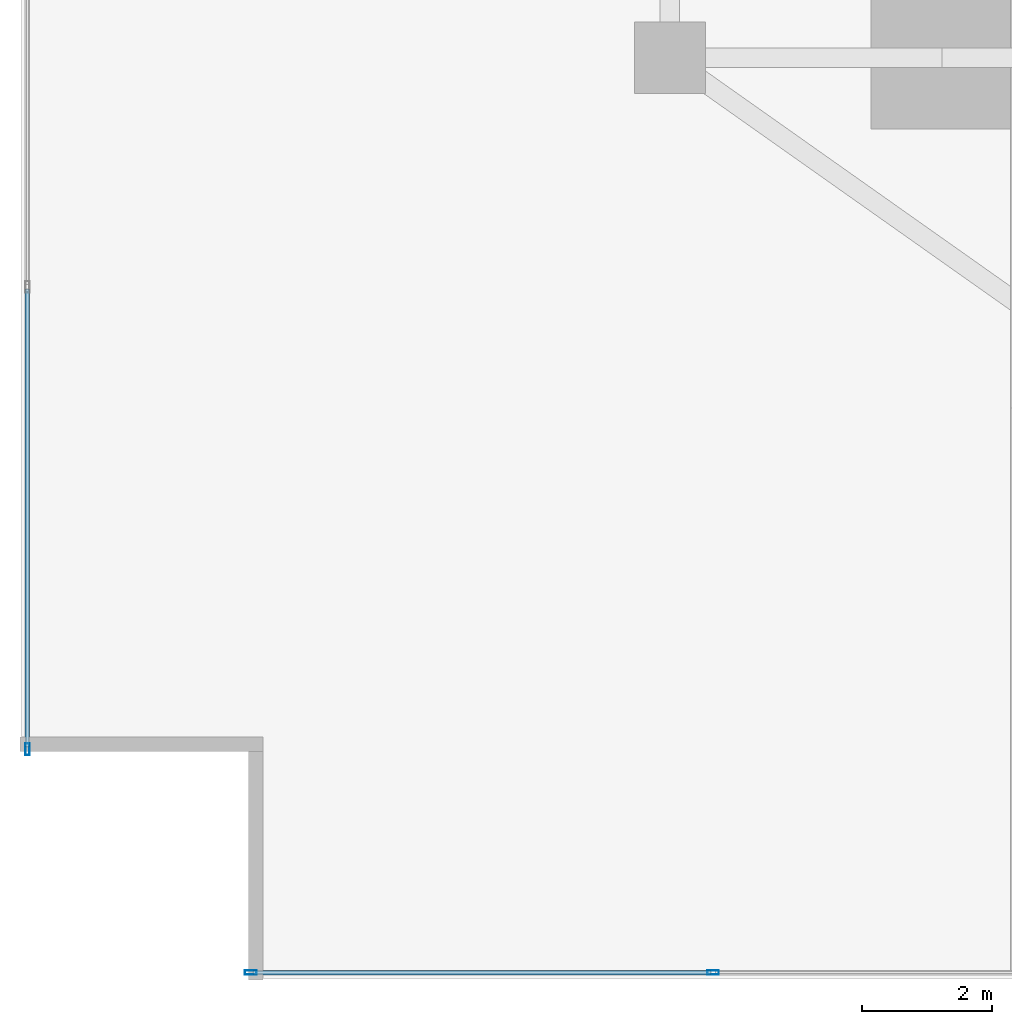
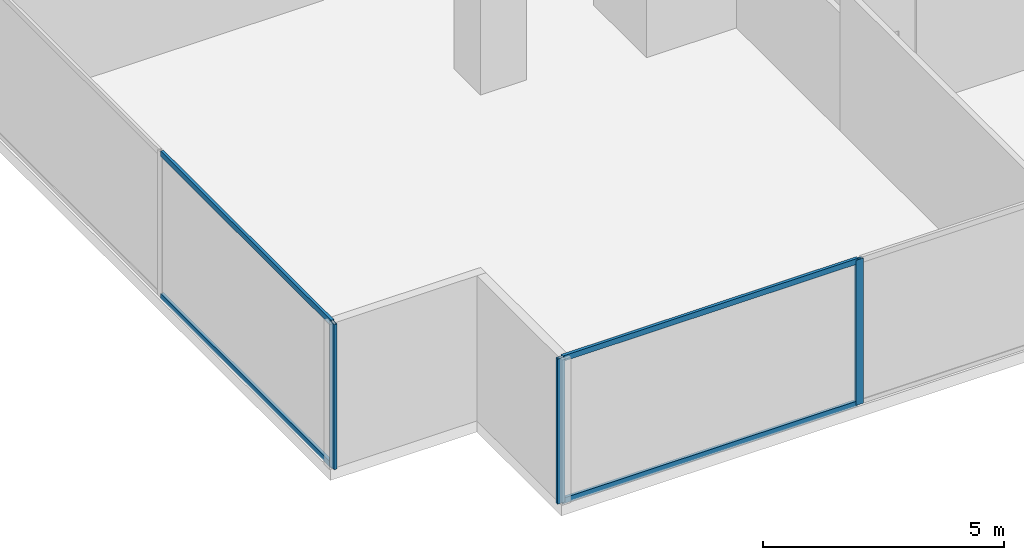
# One storey, part 2 of 28: 7 members, 2 elements without a shape of their own.
"""IFC4 building model written with IfcOpenShell, lengths in metres."""

from ifc_helpers import new_model, si_unit, direction, frame, origin, origin_2d, place, context, subcontext, project, spatial, hollow_rectangle, extrude, source, transform, mapped, material, material_profile, profile_set, type_object, type_shapes, element, aggregate, save


model = new_model("IFC4")

# Units and contexts
model_context = context("Model", 3, precision=1e-05, world=origin(), true_north=direction((0.0, 1.0)))
body_context = subcontext(model_context, "Body", "Model", "MODEL_VIEW")
ifc_project = project(units=[si_unit("LENGTHUNIT", "METRE"), si_unit("AREAUNIT", "SQUARE_METRE"), si_unit("VOLUMEUNIT", "CUBIC_METRE"), si_unit("PLANEANGLEUNIT", "RADIAN"), si_unit("MASSUNIT", "GRAM", prefix="KILO")], contexts=[model_context])

# Site, building, storey
site_placement = place(None, origin())
site = spatial("IfcSite", under=ifc_project, at=site_placement, CompositionType="ELEMENT")
building_placement = place(site_placement, origin())
building = spatial("IfcBuilding", under=site, at=building_placement, Name="Krantzveldt Concourse Tower", CompositionType="ELEMENT")
storey_placement = place(building_placement, frame((0.0, 0.0, 28.949951171875)))
storey = spatial("IfcBuildingStorey", under=building, at=storey_placement, Name="L06", CompositionType="ELEMENT", Elevation=28.949951171875)

# Curtain wall, members
ifc_material = material(Name="Anodised aluminium 6063-T6", Category="aluminium")
curtain_wall_type = type_object("IfcCurtainWallType", Name="CW2", PredefinedType="USERDEFINED", material=ifc_material)
curtain_wall_1_placement = place(storey_placement, origin())
curtain_wall_1 = element("IfcCurtainWall", 1, at=curtain_wall_1_placement, inside=storey, type_object=curtain_wall_type, Name="CW-L06-F04", ObjectType="UNITISED CURTAIN WALL", PredefinedType="USERDEFINED")
ifc_material_profile_1 = material_profile(ifc_material, hollow_rectangle(XDim=0.070068359375, YDim=0.139892578125, WallThickness=0.0048828125, at=origin_2d()), Name="Anodised aluminium 6063-T6", Category="aluminium")
ifc_profile_set_1 = profile_set([ifc_material_profile_1], Name="Anodised aluminium 6063-T6 - ALU-TRAN 140x70x5")
member_type_1 = type_object("IfcMemberType", Name="CW-TRN-150", PredefinedType="USERDEFINED", material=ifc_profile_set_1)
shared_shape_1 = source(origin(), body_context, "Body", "SweptSolid", [
    extrude(hollow_rectangle(XDim=0.070068359375, YDim=0.139892578125, WallThickness=0.0048828125, at=origin_2d()), origin(), (0.0, 0.0, 1.0), 7.0615234375),
])
member_1_placement = place(storey_placement, frame((14.570068359375, 1.7900390625, 0.03515625), z_axis=(1.0, 0.0, 0.0), x_axis=(0.0, 1.0, 0.0)))
member_1 = element("IfcMember", 2, at=member_1_placement, type_object=member_type_1, Name="CW-Z12 transom 1.1", ObjectType="TRANSOM", PredefinedType="USERDEFINED", context=body_context, shape_type="MappedRepresentation", body=[
    mapped(shared_shape_1, transform((0.0, 0.0, 0.0), x_axis=(1.0, 0.0, 0.0), y_axis=(0.0, 1.0, 0.0), z_axis=(0.0, 0.0, 1.0), scale=1.0)),
])
member_2_placement = place(storey_placement, frame((14.570068359375, 1.7900390625, 3.635009765625), z_axis=(1.0, 0.0, 0.0), x_axis=(0.0, 1.0, 0.0)))
member_2 = element("IfcMember", 3, at=member_2_placement, type_object=member_type_1, Name="CW-Z12 transom 1.2", ObjectType="TRANSOM", PredefinedType="USERDEFINED", context=body_context, shape_type="MappedRepresentation", body=[
    mapped(shared_shape_1, transform((0.0, 0.0, 0.0), x_axis=(1.0, 0.0, 0.0), y_axis=(0.0, 1.0, 0.0), z_axis=(0.0, 0.0, 1.0), scale=1.0)),
])

curtain_wall_2_placement = place(storey_placement, origin())
curtain_wall_2 = element("IfcCurtainWall", 4, at=curtain_wall_2_placement, inside=storey, type_object=curtain_wall_type, Name="CW-L06-F01", ObjectType="UNITISED CURTAIN WALL", PredefinedType="USERDEFINED")
shared_shape_2 = source(origin(), body_context, "Body", "SweptSolid", [
    extrude(hollow_rectangle(XDim=0.070068359375, YDim=0.139892578125, WallThickness=0.0048828125, at=origin_2d()), origin(), (0.0, 0.0, 1.0), 7.061767578125),
])
type_shapes(member_type_1, [shared_shape_1, shared_shape_2])
member_3_placement = place(storey_placement, frame((11.090087890625, 12.331787109375, 0.03515625), z_axis=(0.0, -1.0, 0.0), x_axis=(1.0, 0.0, 0.0)))
member_3 = element("IfcMember", 5, at=member_3_placement, type_object=member_type_1, Name="CW-Z12 transom 6.1", ObjectType="TRANSOM", PredefinedType="USERDEFINED", context=body_context, shape_type="MappedRepresentation", body=[
    mapped(shared_shape_2, transform((0.0, 0.0, 0.0), x_axis=(1.0, 0.0, 0.0), y_axis=(0.0, 1.0, 0.0), z_axis=(0.0, 0.0, 1.0), scale=1.0)),
])
member_4_placement = place(storey_placement, frame((11.090087890625, 12.331787109375, 3.635009765625), z_axis=(0.0, -1.0, 0.0), x_axis=(1.0, 0.0, 0.0)))
member_4 = element("IfcMember", 6, at=member_4_placement, type_object=member_type_1, Name="CW-Z12 transom 6.2", ObjectType="TRANSOM", PredefinedType="USERDEFINED", context=body_context, shape_type="MappedRepresentation", body=[
    mapped(shared_shape_2, transform((0.0, 0.0, 0.0), x_axis=(1.0, 0.0, 0.0), y_axis=(0.0, 1.0, 0.0), z_axis=(0.0, 0.0, 1.0), scale=1.0)),
])
ifc_material_profile_2 = material_profile(ifc_material, hollow_rectangle(XDim=0.070068359375, YDim=0.179931640625, WallThickness=0.0048828125, at=origin_2d()), Name="Anodised aluminium 6063-T6", Category="aluminium")
ifc_profile_set_2 = profile_set([ifc_material_profile_2], Name="Anodised aluminium 6063-T6 - ALU-MULL 180x70x5")
member_type_2 = type_object("IfcMemberType", Name="CW-MUL-180", PredefinedType="MULLION", material=ifc_profile_set_2)
shared_shape_3 = source(origin(), body_context, "Body", "SweptSolid", [
    extrude(hollow_rectangle(XDim=0.070068359375, YDim=0.179931640625, WallThickness=0.0048828125, at=origin_2d()), origin(), (0.0, 0.0, 1.0), 3.670166015625),
])
type_shapes(member_type_2, [shared_shape_3])
member_5_placement = place(storey_placement, frame((11.090087890625, 5.235107421875, 0.0), z_axis=(0.0, 0.0, 1.0), x_axis=(1.0, 0.0, 0.0)))
member_5 = element("IfcMember", 7, at=member_5_placement, type_object=member_type_2, Name="CW-Z12 mullion 7", PredefinedType="MULLION", context=body_context, shape_type="MappedRepresentation", body=[
    mapped(shared_shape_3, transform((0.0, 0.0, 0.0), x_axis=(1.0, 0.0, 0.0), y_axis=(0.0, 1.0, 0.0), z_axis=(0.0, 0.0, 1.0), scale=1.0)),
])
aggregate(curtain_wall_2, [member_5, member_3, member_4])

# Member
member_6_placement = place(storey_placement, frame((14.534912109375, 1.7900390625, 0.0), z_axis=(0.0, 0.0, 1.0), x_axis=(0.0, 1.0, 0.0)))
member_6 = element("IfcMember", 8, at=member_6_placement, type_object=member_type_2, Name="CW-Z12 mullion 1", PredefinedType="MULLION", context=body_context, shape_type="MappedRepresentation", body=[
    mapped(shared_shape_3, transform((0.0, 0.0, 0.0), x_axis=(1.0, 0.0, 0.0), y_axis=(0.0, 1.0, 0.0), z_axis=(0.0, 0.0, 1.0), scale=1.0)),
])

member_7_placement = place(storey_placement, frame((21.666748046875, 1.7900390625, 0.0), z_axis=(0.0, 0.0, 1.0), x_axis=(0.0, 1.0, 0.0)))
member_7 = element("IfcMember", 9, at=member_7_placement, type_object=member_type_2, Name="CW-Z12 mullion 2", PredefinedType="MULLION", context=body_context, shape_type="MappedRepresentation", body=[
    mapped(shared_shape_3, transform((0.0, 0.0, 0.0), x_axis=(1.0, 0.0, 0.0), y_axis=(0.0, 1.0, 0.0), z_axis=(0.0, 0.0, 1.0), scale=1.0)),
])

aggregate(curtain_wall_1, [member_6, member_7, member_1, member_2])

save(model, "model.ifc")
